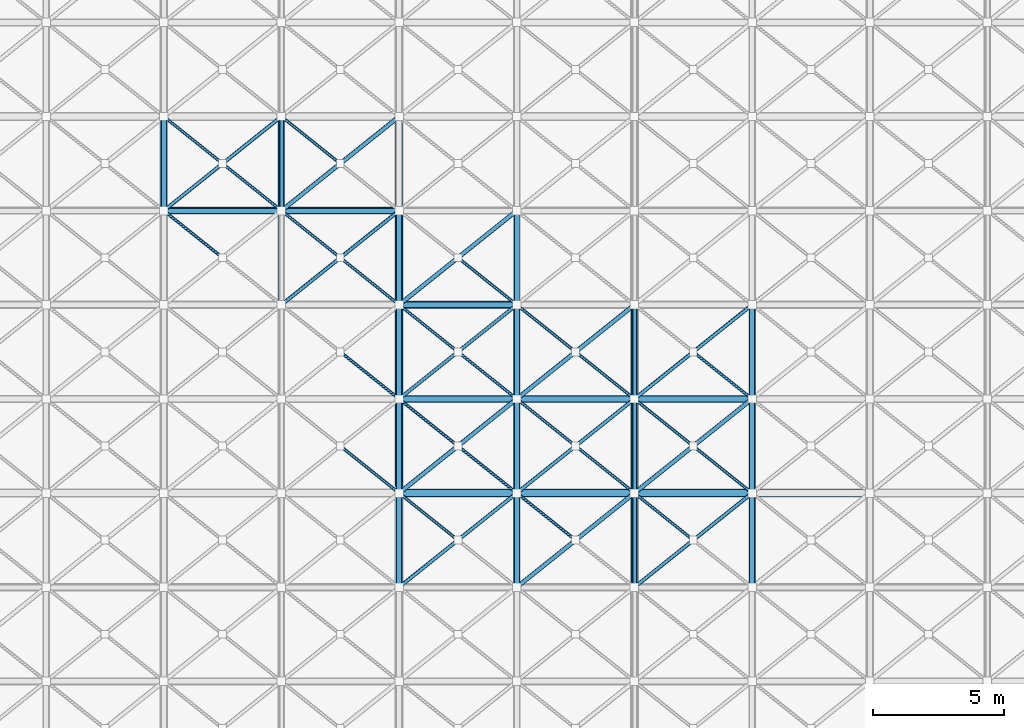
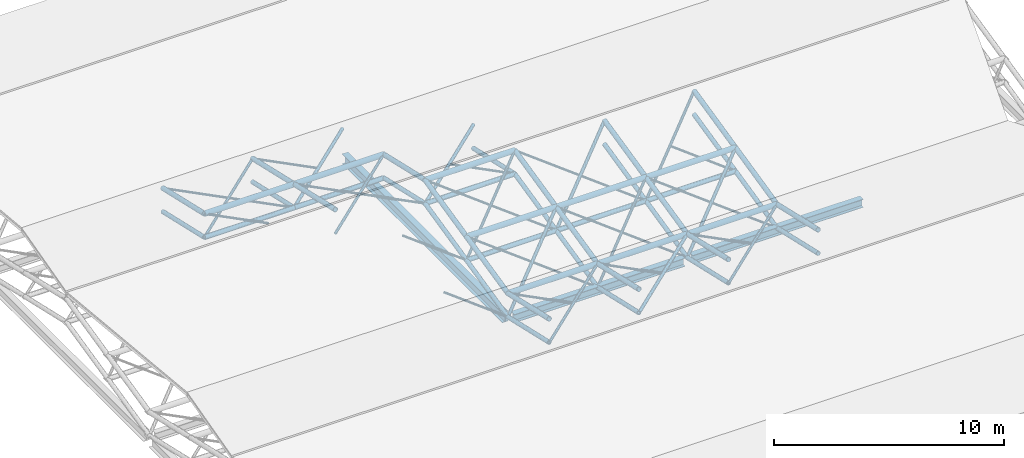
# One storey, part 17 of 110: 83 members, 3 beams.
"""IFC4 building model written with IfcOpenShell, lengths in metres."""

from ifc_helpers import new_model, si_unit, direction, frame, origin, origin_2d, place, context, subcontext, project, spatial, hollow_circle, i_section, extrude, material, material_profile, profile_set, type_object, element, save


model = new_model("IFC4")

# Units and contexts
model_context = context("Model", 3, precision=1e-05, world=origin(), true_north=direction((0.0, 1.0)))
body_context = subcontext(model_context, "Body", "Model", "MODEL_VIEW")
ifc_project = project(units=[si_unit("LENGTHUNIT", "METRE"), si_unit("AREAUNIT", "SQUARE_METRE"), si_unit("VOLUMEUNIT", "CUBIC_METRE"), si_unit("PLANEANGLEUNIT", "RADIAN"), si_unit("MASSUNIT", "GRAM", prefix="KILO")], contexts=[model_context])

# Site, building, storey
site_placement = place(None, origin())
site = spatial("IfcSite", under=ifc_project, at=site_placement, CompositionType="ELEMENT")
building_placement = place(site_placement, origin())
building = spatial("IfcBuilding", under=site, at=building_placement, Name="Tamarisk Ironworks Central Station", CompositionType="ELEMENT")
storey_placement = place(building_placement, frame((0.0, 0.0, 17.39990234375)))
storey = spatial("IfcBuildingStorey", under=building, at=storey_placement, Name="L03", CompositionType="ELEMENT", Elevation=17.39990234375)

# Beams
ifc_material_1 = material(Name="Structural steel S355J2", Category="steel")
ifc_material_profile_1 = material_profile(ifc_material_1, i_section(OverallWidth=0.300048828125, OverallDepth=0.5400390625, WebThickness=0.012451171875, FlangeThickness=0.02392578125, at=origin_2d()), Name="HEA 550")
ifc_profile_set_1 = profile_set([ifc_material_profile_1], Name="Structural steel S355J2")
beam_type_1 = type_object("IfcBeamType", Name="BM-G04", PredefinedType="BEAM", material=ifc_profile_set_1)
beam_placement = place(storey_placement, frame((18.0, 50.64208984375, -1.869873046875), z_axis=(0.0, 1.0, 0.0), x_axis=(-1.0, 0.0, 0.0)))
element("IfcBeam", 1, at=beam_placement, inside=storey, type_object=beam_type_1, Name="L03 primary girder Y-0592", PredefinedType="BEAM", context=body_context, shape_type="SweptSolid", body=[
    extrude(i_section(OverallWidth=0.300048828125, OverallDepth=0.5400390625, WebThickness=0.012451171875, FlangeThickness=0.02392578125, at=origin_2d()), origin(), (0.0, 0.0, 1.0), 13.916015625),
])
ifc_material_profile_2 = material_profile(ifc_material_1, i_section(OverallWidth=0.300048828125, OverallDepth=0.43994140625, WebThickness=0.011474609375, FlangeThickness=0.02099609375, at=origin_2d()), Name="HEA 450")
ifc_profile_set_2 = profile_set([ifc_material_profile_2], Name="Structural steel S355J2")
beam_type_2 = type_object("IfcBeamType", Name="BM-G06", PredefinedType="BEAM", material=ifc_profile_set_2)
for number, where, z_axis, x_axis, name in (
    (2, (18.241943359375, 50.39990234375, -1.81982421875), (1.0, 0.0, 0.0), (0.0, 1.0, 0.0), "L03 primary girder X-0559"),
    (3, (27.191162109375, 50.39990234375, -1.81982421875), (1.0, 0.0, 0.0), (0.0, 1.0, 0.0), "L03 primary girder X-0560"),
):
    element("IfcBeam", number, at=place(storey_placement, frame(where, z_axis=z_axis, x_axis=x_axis)), inside=storey, type_object=beam_type_2, Name=name, PredefinedType="BEAM", context=body_context, shape_type="SweptSolid", body=[
        extrude(i_section(OverallWidth=0.300048828125, OverallDepth=0.43994140625, WebThickness=0.011474609375, FlangeThickness=0.02099609375, at=origin_2d()), origin(), (0.0, 0.0, 1.0), 8.56689453125),
    ])

# Members
ifc_material_2 = material(Name="Structural steel S355J2H", Category="steel")
ifc_material_profile_3 = material_profile(ifc_material_2, hollow_circle(Radius=0.136474609375, WallThickness=0.012451171875, at=origin_2d()), Name="CHS 273x12.5")
ifc_profile_set_3 = profile_set([ifc_material_profile_3], Name="Structural steel S355J2H")
member_type_1 = type_object("IfcMemberType", Name="MB-SFC01", PredefinedType="CHORD", material=ifc_profile_set_3)
for number, where, z_axis, x_axis, name in (
    (4, (18.0, 50.39990234375, -0.469970703125), (1.0, 0.0, 0.0), (0.0, 1.0, 0.0), "Train shed space-frame top chord 0357"),
    (5, (22.5, 50.39990234375, -0.469970703125), (1.0, 0.0, 0.0), (0.0, 1.0, 0.0), "Train shed space-frame top chord 0358"),
    (6, (27.0, 50.39990234375, -0.469970703125), (1.0, 0.0, 0.0), (0.0, 1.0, 0.0), "Train shed space-frame top chord 0359"),
    (7, (18.0, 54.0, 0.35498046875), (1.0, 0.0, 0.0), (0.0, 1.0, 0.0), "Train shed space-frame top chord 0565"),
    (8, (22.5, 54.0, 0.35498046875), (1.0, 0.0, 0.0), (0.0, 1.0, 0.0), "Train shed space-frame top chord 0566"),
    (9, (27.0, 54.0, 0.35498046875), (1.0, 0.0, 0.0), (0.0, 1.0, 0.0), "Train shed space-frame top chord 0567"),
    (10, (18.0, 57.60009765625, 1.18017578125), (1.0, 0.0, 0.0), (0.0, 1.0, 0.0), "Train shed space-frame top chord 0575"),
    (11, (9.0, 61.199951171875, 0.35498046875), (1.0, 0.0, 0.0), (0.0, 1.0, 0.0), "Train shed space-frame top chord 0583"),
    (12, (13.5, 61.199951171875, 0.35498046875), (1.0, 0.0, 0.0), (0.0, 1.0, 0.0), "Train shed space-frame top chord 0584"),
):
    element("IfcMember", number, at=place(storey_placement, frame(where, z_axis=z_axis, x_axis=x_axis)), inside=storey, type_object=member_type_1, Name=name, PredefinedType="CHORD", context=body_context, shape_type="SweptSolid", body=[
        extrude(hollow_circle(Radius=0.136474609375, WallThickness=0.012451171875, at=origin_2d()), origin(), (0.0, 0.0, 1.0), 4.5),
    ])
ifc_material_profile_4 = material_profile(ifc_material_2, hollow_circle(Radius=0.122314453125, WallThickness=0.012451171875, at=origin_2d()), Name="CHS 244.5x12.5")
ifc_profile_set_4 = profile_set([ifc_material_profile_4], Name="Structural steel S355J2H")
member_type_2 = type_object("IfcMemberType", Name="MB-SFC02", PredefinedType="CHORD", material=ifc_profile_set_4)
for number, where, z_axis, x_axis, name in (
    (13, (18.0, 46.800048828125, 0.35498046875), (0.0, 0.974733218107, -0.223372230857), (-1.0, 0.0, 0.0), "Train shed space-frame top transverse chord 0382"),
    (14, (22.5, 46.800048828125, 0.35498046875), (0.0, 0.974733218107, -0.223372230857), (-1.0, 0.0, 0.0), "Train shed space-frame top transverse chord 0386"),
    (15, (27.0, 46.800048828125, 0.35498046875), (0.0, 0.974733218107, -0.223372230857), (-1.0, 0.0, 0.0), "Train shed space-frame top transverse chord 0390"),
    (16, (31.5, 46.800048828125, 0.35498046875), (0.0, 0.974733218107, -0.223372230857), (-1.0, 0.0, 0.0), "Train shed space-frame top transverse chord 0394"),
):
    element("IfcMember", number, at=place(storey_placement, frame(where, z_axis=z_axis, x_axis=x_axis)), inside=storey, type_object=member_type_2, Name=name, PredefinedType="CHORD", context=body_context, shape_type="SweptSolid", body=[
        extrude(hollow_circle(Radius=0.122314453125, WallThickness=0.012451171875, at=origin_2d()), origin(), (0.0, 0.0, 1.0), 3.693115234375),
    ])
for number, where, z_axis, x_axis, name in (
    (17, (18.0, 54.0, -0.89501953125), (1.0, 0.0, 0.0), (0.0, 1.0, 0.0), "Train shed space-frame bottom chord 0491"),
    (18, (22.5, 54.0, -0.89501953125), (1.0, 0.0, 0.0), (0.0, 1.0, 0.0), "Train shed space-frame bottom chord 0492"),
    (19, (27.0, 54.0, -0.89501953125), (1.0, 0.0, 0.0), (0.0, 1.0, 0.0), "Train shed space-frame bottom chord 0493"),
    (20, (18.0, 57.60009765625, -0.06982421875), (1.0, 0.0, 0.0), (0.0, 1.0, 0.0), "Train shed space-frame bottom chord 0501"),
    (21, (9.0, 61.199951171875, -0.89501953125), (1.0, 0.0, 0.0), (0.0, 1.0, 0.0), "Train shed space-frame bottom chord 0509"),
    (22, (13.5, 61.199951171875, -0.89501953125), (1.0, 0.0, 0.0), (0.0, 1.0, 0.0), "Train shed space-frame bottom chord 0510"),
):
    element("IfcMember", number, at=place(storey_placement, frame(where, z_axis=z_axis, x_axis=x_axis)), inside=storey, type_object=member_type_2, Name=name, PredefinedType="CHORD", context=body_context, shape_type="SweptSolid", body=[
        extrude(hollow_circle(Radius=0.122314453125, WallThickness=0.012451171875, at=origin_2d()), origin(), (0.0, 0.0, 1.0), 4.5),
    ])
member_1_placement = place(storey_placement, frame((9.0, 61.199951171875, 0.35498046875), z_axis=(0.0, 0.974736516158, -0.223357838607), x_axis=(-1.0, 0.0, 0.0)))
element("IfcMember", 23, at=member_1_placement, inside=storey, type_object=member_type_2, Name="Train shed space-frame top transverse chord 0612", PredefinedType="CHORD", context=body_context, shape_type="SweptSolid", body=[
    extrude(hollow_circle(Radius=0.122314453125, WallThickness=0.012451171875, at=origin_2d()), origin(), (0.0, 0.0, 1.0), 3.693359375),
])
member_2_placement = place(storey_placement, frame((13.5, 57.60009765625, 1.18017578125), z_axis=(0.0, 0.974718823144, -0.223435037113), x_axis=(-1.0, 0.0, 0.0)))
element("IfcMember", 24, at=member_2_placement, inside=storey, type_object=member_type_2, Name="Train shed space-frame top transverse chord 0615", PredefinedType="CHORD", context=body_context, shape_type="SweptSolid", body=[
    extrude(hollow_circle(Radius=0.122314453125, WallThickness=0.012451171875, at=origin_2d()), origin(), (0.0, 0.0, 1.0), 3.693115234375),
])
for number, where, z_axis, x_axis, name in (
    (25, (13.5, 61.199951171875, 0.35498046875), (0.0, 0.974736516158, -0.223357838607), (-1.0, 0.0, 0.0), "Train shed space-frame top transverse chord 0616"),
    (26, (18.0, 50.39990234375, -0.469970703125), (0.0, 0.974736516158, 0.223357838607), (-1.0, 0.0, 0.0), "Train shed space-frame top transverse chord 0617"),
    (27, (18.0, 54.0, 0.35498046875), (0.0, 0.974722123001, 0.223420641241), (-1.0, 0.0, 0.0), "Train shed space-frame top transverse chord 0618"),
):
    element("IfcMember", number, at=place(storey_placement, frame(where, z_axis=z_axis, x_axis=x_axis)), inside=storey, type_object=member_type_2, Name=name, PredefinedType="CHORD", context=body_context, shape_type="SweptSolid", body=[
        extrude(hollow_circle(Radius=0.122314453125, WallThickness=0.012451171875, at=origin_2d()), origin(), (0.0, 0.0, 1.0), 3.693359375),
    ])
member_3_placement = place(storey_placement, frame((18.0, 57.60009765625, 1.18017578125), z_axis=(0.0, 0.974718823144, -0.223435037113), x_axis=(-1.0, 0.0, 0.0)))
element("IfcMember", 28, at=member_3_placement, inside=storey, type_object=member_type_2, Name="Train shed space-frame top transverse chord 0619", PredefinedType="CHORD", context=body_context, shape_type="SweptSolid", body=[
    extrude(hollow_circle(Radius=0.122314453125, WallThickness=0.012451171875, at=origin_2d()), origin(), (0.0, 0.0, 1.0), 3.693115234375),
])
for number, where, z_axis, x_axis, name in (
    (29, (22.5, 50.39990234375, -0.469970703125), (0.0, 0.974736516158, 0.223357838607), (-1.0, 0.0, 0.0), "Train shed space-frame top transverse chord 0621"),
    (30, (22.5, 54.0, 0.35498046875), (0.0, 0.974722123001, 0.223420641241), (-1.0, 0.0, 0.0), "Train shed space-frame top transverse chord 0622"),
    (31, (27.0, 50.39990234375, -0.469970703125), (0.0, 0.974736516158, 0.223357838607), (-1.0, 0.0, 0.0), "Train shed space-frame top transverse chord 0625"),
    (32, (27.0, 54.0, 0.35498046875), (0.0, 0.974722123001, 0.223420641241), (-1.0, 0.0, 0.0), "Train shed space-frame top transverse chord 0626"),
    (33, (31.5, 50.39990234375, -0.469970703125), (0.0, 0.974736516158, 0.223357838607), (-1.0, 0.0, 0.0), "Train shed space-frame top transverse chord 0629"),
    (34, (31.5, 54.0, 0.35498046875), (0.0, 0.974722123001, 0.223420641241), (-1.0, 0.0, 0.0), "Train shed space-frame top transverse chord 0630"),
):
    element("IfcMember", number, at=place(storey_placement, frame(where, z_axis=z_axis, x_axis=x_axis)), inside=storey, type_object=member_type_2, Name=name, PredefinedType="CHORD", context=body_context, shape_type="SweptSolid", body=[
        extrude(hollow_circle(Radius=0.122314453125, WallThickness=0.012451171875, at=origin_2d()), origin(), (0.0, 0.0, 1.0), 3.693359375),
    ])
ifc_material_profile_5 = material_profile(ifc_material_2, hollow_circle(Radius=0.109619140625, WallThickness=0.010009765625, at=origin_2d()), Name="CHS 219.1x10")
ifc_profile_set_5 = profile_set([ifc_material_profile_5], Name="Structural steel S355J2H")
member_type_3 = type_object("IfcMemberType", Name="MB-SFC03", PredefinedType="CHORD", material=ifc_profile_set_5)
for number, where, z_axis, x_axis, name in (
    (35, (18.0, 46.800048828125, -0.89501953125), (0.0, 0.974733218107, -0.223372230857), (-1.0, 0.0, 0.0), "Train shed space-frame transverse chord 0298"),
    (36, (22.5, 46.800048828125, -0.89501953125), (0.0, 0.974733218107, -0.223372230857), (-1.0, 0.0, 0.0), "Train shed space-frame transverse chord 0302"),
    (37, (27.0, 46.800048828125, -0.89501953125), (0.0, 0.974733218107, -0.223372230857), (-1.0, 0.0, 0.0), "Train shed space-frame transverse chord 0306"),
    (38, (31.5, 46.800048828125, -0.89501953125), (0.0, 0.974733218107, -0.223372230857), (-1.0, 0.0, 0.0), "Train shed space-frame transverse chord 0310"),
):
    element("IfcMember", number, at=place(storey_placement, frame(where, z_axis=z_axis, x_axis=x_axis)), inside=storey, type_object=member_type_3, Name=name, PredefinedType="CHORD", context=body_context, shape_type="SweptSolid", body=[
        extrude(hollow_circle(Radius=0.109619140625, WallThickness=0.010009765625, at=origin_2d()), origin(), (0.0, 0.0, 1.0), 3.693115234375),
    ])
for number, where, z_axis, x_axis, name in (
    (39, (9.0, 61.199951171875, -0.89501953125), (0.0, 0.974736516158, -0.223357838607), (-1.0, 0.0, 0.0), "Train shed space-frame transverse chord 0528"),
    (40, (13.5, 61.199951171875, -0.89501953125), (0.0, 0.974736516158, -0.223357838607), (-1.0, 0.0, 0.0), "Train shed space-frame transverse chord 0532"),
    (41, (18.0, 50.39990234375, -1.719970703125), (0.0, 0.974736516158, 0.223357838607), (-1.0, 0.0, 0.0), "Train shed space-frame transverse chord 0533"),
    (42, (18.0, 54.0, -0.89501953125), (0.0, 0.974722123001, 0.223420641241), (-1.0, 0.0, 0.0), "Train shed space-frame transverse chord 0534"),
):
    element("IfcMember", number, at=place(storey_placement, frame(where, z_axis=z_axis, x_axis=x_axis)), inside=storey, type_object=member_type_3, Name=name, PredefinedType="CHORD", context=body_context, shape_type="SweptSolid", body=[
        extrude(hollow_circle(Radius=0.109619140625, WallThickness=0.010009765625, at=origin_2d()), origin(), (0.0, 0.0, 1.0), 3.693359375),
    ])
member_4_placement = place(storey_placement, frame((18.0, 57.60009765625, -0.06982421875), z_axis=(0.0, 0.974718823144, -0.223435037113), x_axis=(-1.0, 0.0, 0.0)))
element("IfcMember", 43, at=member_4_placement, inside=storey, type_object=member_type_3, Name="Train shed space-frame transverse chord 0535", PredefinedType="CHORD", context=body_context, shape_type="SweptSolid", body=[
    extrude(hollow_circle(Radius=0.109619140625, WallThickness=0.010009765625, at=origin_2d()), origin(), (0.0, 0.0, 1.0), 3.693115234375),
])
for number, where, z_axis, x_axis, name in (
    (44, (22.5, 50.39990234375, -1.719970703125), (0.0, 0.974736516158, 0.223357838607), (-1.0, 0.0, 0.0), "Train shed space-frame transverse chord 0537"),
    (45, (22.5, 54.0, -0.89501953125), (0.0, 0.974722123001, 0.223420641241), (-1.0, 0.0, 0.0), "Train shed space-frame transverse chord 0538"),
):
    element("IfcMember", number, at=place(storey_placement, frame(where, z_axis=z_axis, x_axis=x_axis)), inside=storey, type_object=member_type_3, Name=name, PredefinedType="CHORD", context=body_context, shape_type="SweptSolid", body=[
        extrude(hollow_circle(Radius=0.109619140625, WallThickness=0.010009765625, at=origin_2d()), origin(), (0.0, 0.0, 1.0), 3.693359375),
    ])
member_5_placement = place(storey_placement, frame((22.5, 57.60009765625, -0.06982421875), z_axis=(0.0, 0.974718823144, -0.223435037113), x_axis=(-1.0, 0.0, 0.0)))
element("IfcMember", 46, at=member_5_placement, inside=storey, type_object=member_type_3, Name="Train shed space-frame transverse chord 0539", PredefinedType="CHORD", context=body_context, shape_type="SweptSolid", body=[
    extrude(hollow_circle(Radius=0.109619140625, WallThickness=0.010009765625, at=origin_2d()), origin(), (0.0, 0.0, 1.0), 3.693115234375),
])
for number, where, z_axis, x_axis, name in (
    (47, (27.0, 50.39990234375, -1.719970703125), (0.0, 0.974736516158, 0.223357838607), (-1.0, 0.0, 0.0), "Train shed space-frame transverse chord 0541"),
    (48, (27.0, 54.0, -0.89501953125), (0.0, 0.974722123001, 0.223420641241), (-1.0, 0.0, 0.0), "Train shed space-frame transverse chord 0542"),
    (49, (31.5, 50.39990234375, -1.719970703125), (0.0, 0.974736516158, 0.223357838607), (-1.0, 0.0, 0.0), "Train shed space-frame transverse chord 0545"),
    (50, (31.5, 54.0, -0.89501953125), (0.0, 0.974722123001, 0.223420641241), (-1.0, 0.0, 0.0), "Train shed space-frame transverse chord 0546"),
):
    element("IfcMember", number, at=place(storey_placement, frame(where, z_axis=z_axis, x_axis=x_axis)), inside=storey, type_object=member_type_3, Name=name, PredefinedType="CHORD", context=body_context, shape_type="SweptSolid", body=[
        extrude(hollow_circle(Radius=0.109619140625, WallThickness=0.010009765625, at=origin_2d()), origin(), (0.0, 0.0, 1.0), 3.693359375),
    ])
ifc_material_profile_6 = material_profile(ifc_material_2, hollow_circle(Radius=0.084228515625, WallThickness=0.010009765625, at=origin_2d()), Name="CHS 168.3x10")
ifc_profile_set_6 = profile_set([ifc_material_profile_6], Name="Structural steel S355J2H")
member_type_4 = type_object("IfcMemberType", Name="MB-SFD01", PredefinedType="BRACE", material=ifc_profile_set_6)
member_6_placement = place(storey_placement, frame((22.5, 46.800048828125, -0.89501953125), z_axis=(0.778765724077, 0.622987228815, 0.073558546312), x_axis=(-0.624679547852, 0.780881208953, 0.0)))
element("IfcMember", 51, at=member_6_placement, inside=storey, type_object=member_type_4, Name="Train shed space-frame diagonal 0453", PredefinedType="BRACE", context=body_context, shape_type="SweptSolid", body=[
    extrude(hollow_circle(Radius=0.084228515625, WallThickness=0.010009765625, at=origin_2d()), origin(), (0.0, 0.0, 1.0), 5.7783203125),
])
member_7_placement = place(storey_placement, frame((13.5, 61.199951171875, -0.89501953125), z_axis=(0.778745225774, 0.623013080472, 0.073556610138), x_axis=(-0.624705380279, 0.780860543151, 0.0)))
element("IfcMember", 52, at=member_7_placement, inside=storey, type_object=member_type_4, Name="Train shed space-frame diagonal 0675", PredefinedType="BRACE", context=body_context, shape_type="SweptSolid", body=[
    extrude(hollow_circle(Radius=0.084228515625, WallThickness=0.010009765625, at=origin_2d()), origin(), (0.0, 0.0, 1.0), 5.778564453125),
])
member_8_placement = place(storey_placement, frame((18.0, 50.39990234375, -1.719970703125), z_axis=(0.734688976783, 0.587767125198, 0.33876527852), x_axis=(-0.624705380279, 0.780860543151, 0.0)))
element("IfcMember", 53, at=member_8_placement, inside=storey, type_object=member_type_4, Name="Train shed space-frame diagonal 0677", PredefinedType="BRACE", context=body_context, shape_type="SweptSolid", body=[
    extrude(hollow_circle(Radius=0.084228515625, WallThickness=0.010009765625, at=origin_2d()), origin(), (0.0, 0.0, 1.0), 6.125),
])
member_9_placement = place(storey_placement, frame((18.0, 57.60009765625, -0.06982421875), z_axis=(0.778768143722, 0.622989164452, 0.073516523984), x_axis=(-0.624679547852, 0.780881208953, 0.0)))
element("IfcMember", 54, at=member_9_placement, inside=storey, type_object=member_type_4, Name="Train shed space-frame diagonal 0681", PredefinedType="BRACE", context=body_context, shape_type="SweptSolid", body=[
    extrude(hollow_circle(Radius=0.084228515625, WallThickness=0.010009765625, at=origin_2d()), origin(), (0.0, 0.0, 1.0), 5.7783203125),
])
member_10_placement = place(storey_placement, frame((22.5, 54.0, -0.89501953125), z_axis=(0.734679055902, 0.587759188278, 0.338800562889), x_axis=(-0.624705380279, 0.780860543151, 0.0)))
element("IfcMember", 55, at=member_10_placement, inside=storey, type_object=member_type_4, Name="Train shed space-frame diagonal 0687", PredefinedType="BRACE", context=body_context, shape_type="SweptSolid", body=[
    extrude(hollow_circle(Radius=0.084228515625, WallThickness=0.010009765625, at=origin_2d()), origin(), (0.0, 0.0, 1.0), 6.125244140625),
])
member_11_placement = place(storey_placement, frame((27.0, 50.39990234375, -1.719970703125), z_axis=(0.734688976783, 0.587767125198, 0.33876527852), x_axis=(-0.624705380279, 0.780860543151, 0.0)))
element("IfcMember", 56, at=member_11_placement, inside=storey, type_object=member_type_4, Name="Train shed space-frame diagonal 0693", PredefinedType="BRACE", context=body_context, shape_type="SweptSolid", body=[
    extrude(hollow_circle(Radius=0.084228515625, WallThickness=0.010009765625, at=origin_2d()), origin(), (0.0, 0.0, 1.0), 6.125),
])
ifc_material_profile_7 = material_profile(ifc_material_2, hollow_circle(Radius=0.06982421875, WallThickness=0.008056640625, at=origin_2d()), Name="CHS 139.7x8")
ifc_profile_set_7 = profile_set([ifc_material_profile_7], Name="Structural steel S355J2H")
member_type_5 = type_object("IfcMemberType", Name="MB-SFD02", PredefinedType="BRACE", material=ifc_profile_set_7)
for number, where, z_axis, x_axis, name in (
    (57, (18.0, 46.800048828125, -0.89501953125), (0.778765724077, 0.622987228815, 0.073558546312), (-0.624679547852, 0.780881208953, 0.0), "Train shed space-frame diagonal 0445"),
    (58, (27.0, 46.800048828125, -0.89501953125), (0.778765724077, 0.622987228815, 0.073558546312), (-0.624679547852, 0.780881208953, 0.0), "Train shed space-frame diagonal 0461"),
):
    element("IfcMember", number, at=place(storey_placement, frame(where, z_axis=z_axis, x_axis=x_axis)), inside=storey, type_object=member_type_5, Name=name, PredefinedType="BRACE", context=body_context, shape_type="SweptSolid", body=[
        extrude(hollow_circle(Radius=0.06982421875, WallThickness=0.008056640625, at=origin_2d()), origin(), (0.0, 0.0, 1.0), 5.7783203125),
    ])
member_12_placement = place(storey_placement, frame((9.0, 61.199951171875, -0.89501953125), z_axis=(0.778745225774, 0.623013080472, 0.073556610138), x_axis=(-0.624705380279, 0.780860543151, 0.0)))
element("IfcMember", 59, at=member_12_placement, inside=storey, type_object=member_type_5, Name="Train shed space-frame diagonal 0667", PredefinedType="BRACE", context=body_context, shape_type="SweptSolid", body=[
    extrude(hollow_circle(Radius=0.06982421875, WallThickness=0.008056640625, at=origin_2d()), origin(), (0.0, 0.0, 1.0), 5.778564453125),
])
member_13_placement = place(storey_placement, frame((13.5, 57.60009765625, -0.06982421875), z_axis=(0.778768143722, 0.622989164452, 0.073516523984), x_axis=(-0.624679547852, 0.780881208953, 0.0)))
element("IfcMember", 60, at=member_13_placement, inside=storey, type_object=member_type_5, Name="Train shed space-frame diagonal 0673", PredefinedType="BRACE", context=body_context, shape_type="SweptSolid", body=[
    extrude(hollow_circle(Radius=0.06982421875, WallThickness=0.008056640625, at=origin_2d()), origin(), (0.0, 0.0, 1.0), 5.7783203125),
])
member_14_placement = place(storey_placement, frame((18.0, 54.0, -0.89501953125), z_axis=(0.734679055902, 0.587759188278, 0.338800562889), x_axis=(-0.624705380279, 0.780860543151, 0.0)))
element("IfcMember", 61, at=member_14_placement, inside=storey, type_object=member_type_5, Name="Train shed space-frame diagonal 0679", PredefinedType="BRACE", context=body_context, shape_type="SweptSolid", body=[
    extrude(hollow_circle(Radius=0.06982421875, WallThickness=0.008056640625, at=origin_2d()), origin(), (0.0, 0.0, 1.0), 6.125244140625),
])
member_15_placement = place(storey_placement, frame((22.5, 50.39990234375, -1.719970703125), z_axis=(0.734688976783, 0.587767125198, 0.33876527852), x_axis=(-0.624705380279, 0.780860543151, 0.0)))
element("IfcMember", 62, at=member_15_placement, inside=storey, type_object=member_type_5, Name="Train shed space-frame diagonal 0685", PredefinedType="BRACE", context=body_context, shape_type="SweptSolid", body=[
    extrude(hollow_circle(Radius=0.06982421875, WallThickness=0.008056640625, at=origin_2d()), origin(), (0.0, 0.0, 1.0), 6.125),
])
member_16_placement = place(storey_placement, frame((27.0, 54.0, -0.89501953125), z_axis=(0.734679055902, 0.587759188278, 0.338800562889), x_axis=(-0.624705380279, 0.780860543151, 0.0)))
element("IfcMember", 63, at=member_16_placement, inside=storey, type_object=member_type_5, Name="Train shed space-frame diagonal 0695", PredefinedType="BRACE", context=body_context, shape_type="SweptSolid", body=[
    extrude(hollow_circle(Radius=0.06982421875, WallThickness=0.008056640625, at=origin_2d()), origin(), (0.0, 0.0, 1.0), 6.125244140625),
])
ifc_material_profile_8 = material_profile(ifc_material_2, hollow_circle(Radius=0.05712890625, WallThickness=0.00634765625, at=origin_2d()), Name="CHS 114.3x6.3")
ifc_profile_set_8 = profile_set([ifc_material_profile_8], Name="Structural steel S355J2H")
member_type_6 = type_object("IfcMemberType", Name="MB-SFD03", PredefinedType="BRACE", material=ifc_profile_set_8)
for number, where, z_axis, x_axis, name in (
    (64, (20.207275390625, 48.63427734375, -0.678466796875), (-0.778786711003, 0.622960457248, 0.073563084968), (-0.624652913247, -0.780902515025, 0.0), "Train shed space-frame split counter-diagonal upper 0446"),
    (65, (24.707275390625, 48.63427734375, -0.678466796875), (-0.778786711003, 0.622960457248, 0.073563084968), (-0.624652913247, -0.780902515025, 0.0), "Train shed space-frame split counter-diagonal upper 0454"),
    (66, (29.207275390625, 48.63427734375, -0.678466796875), (-0.778786711003, 0.622960457248, 0.073563084968), (-0.624652913247, -0.780902515025, 0.0), "Train shed space-frame split counter-diagonal upper 0462"),
    (67, (11.207275390625, 59.434326171875, 0.146484375), (-0.778786711003, 0.622960457248, 0.073563084968), (-0.624652913247, -0.780902515025, 0.0), "Train shed space-frame split counter-diagonal upper 0666"),
):
    element("IfcMember", number, at=place(storey_placement, frame(where, z_axis=z_axis, x_axis=x_axis)), inside=storey, type_object=member_type_6, Name=name, PredefinedType="BRACE", context=body_context, shape_type="SweptSolid", body=[
        extrude(hollow_circle(Radius=0.05712890625, WallThickness=0.00634765625, at=origin_2d()), origin(), (0.0, 0.0, 1.0), 2.834228515625),
    ])
for number, where, z_axis, x_axis, name in (
    (68, (13.5, 61.199951171875, -0.89501953125), (-0.778744920641, 0.623013163477, 0.07355913751), (-0.624705580279, -0.780860383147, 0.0), "Train shed space-frame split counter-diagonal lower 0668"),
    (69, (11.207275390625, 63.0341796875, -0.678466796875), (-0.778744920641, 0.623013163477, 0.07355913751), (-0.624705580279, -0.780860383147, 0.0), "Train shed space-frame split counter-diagonal upper 0668"),
):
    element("IfcMember", number, at=place(storey_placement, frame(where, z_axis=z_axis, x_axis=x_axis)), inside=storey, type_object=member_type_6, Name=name, PredefinedType="BRACE", context=body_context, shape_type="SweptSolid", body=[
        extrude(hollow_circle(Radius=0.05712890625, WallThickness=0.00634765625, at=origin_2d()), origin(), (0.0, 0.0, 1.0), 2.83447265625),
    ])
member_17_placement = place(storey_placement, frame((18.0, 50.39990234375, -1.719970703125), z_axis=(-0.734677102003, 0.587757915766, 0.338807007376), x_axis=(-0.624705568642, -0.780860392457, 0.0)))
element("IfcMember", 70, at=member_17_placement, inside=storey, type_object=member_type_6, Name="Train shed space-frame split counter-diagonal lower 0670", PredefinedType="BRACE", context=body_context, shape_type="SweptSolid", body=[
    extrude(hollow_circle(Radius=0.05712890625, WallThickness=0.00634765625, at=origin_2d()), origin(), (0.0, 0.0, 1.0), 3.0078125),
])
member_18_placement = place(storey_placement, frame((18.0, 54.0, -0.89501953125), z_axis=(-0.734712152648, 0.587704782363, 0.33882317149), x_axis=(-0.624652959802, -0.780902477785, 0.0)))
element("IfcMember", 71, at=member_18_placement, inside=storey, type_object=member_type_6, Name="Train shed space-frame split counter-diagonal lower 0672", PredefinedType="BRACE", context=body_context, shape_type="SweptSolid", body=[
    extrude(hollow_circle(Radius=0.05712890625, WallThickness=0.00634765625, at=origin_2d()), origin(), (0.0, 0.0, 1.0), 3.007568359375),
])
for number, where, z_axis, x_axis, name in (
    (72, (18.0, 57.60009765625, -0.06982421875), (-0.778786711003, 0.622960457248, 0.073563084968), (-0.624652913247, -0.780902515025, 0.0), "Train shed space-frame split counter-diagonal lower 0674"),
    (73, (15.707275390625, 59.434326171875, 0.146484375), (-0.778786711003, 0.622960457248, 0.073563084968), (-0.624652913247, -0.780902515025, 0.0), "Train shed space-frame split counter-diagonal upper 0674"),
):
    element("IfcMember", number, at=place(storey_placement, frame(where, z_axis=z_axis, x_axis=x_axis)), inside=storey, type_object=member_type_6, Name=name, PredefinedType="BRACE", context=body_context, shape_type="SweptSolid", body=[
        extrude(hollow_circle(Radius=0.05712890625, WallThickness=0.00634765625, at=origin_2d()), origin(), (0.0, 0.0, 1.0), 2.834228515625),
    ])
member_19_placement = place(storey_placement, frame((15.707275390625, 63.0341796875, -0.678466796875), z_axis=(-0.778744920641, 0.623013163477, 0.07355913751), x_axis=(-0.624705580279, -0.780860383147, 0.0)))
element("IfcMember", 74, at=member_19_placement, inside=storey, type_object=member_type_6, Name="Train shed space-frame split counter-diagonal upper 0676", PredefinedType="BRACE", context=body_context, shape_type="SweptSolid", body=[
    extrude(hollow_circle(Radius=0.05712890625, WallThickness=0.00634765625, at=origin_2d()), origin(), (0.0, 0.0, 1.0), 2.83447265625),
])
member_20_placement = place(storey_placement, frame((22.5, 50.39990234375, -1.719970703125), z_axis=(-0.734677102003, 0.587757915766, 0.338807007376), x_axis=(-0.624705568642, -0.780860392457, 0.0)))
element("IfcMember", 75, at=member_20_placement, inside=storey, type_object=member_type_6, Name="Train shed space-frame split counter-diagonal lower 0678", PredefinedType="BRACE", context=body_context, shape_type="SweptSolid", body=[
    extrude(hollow_circle(Radius=0.05712890625, WallThickness=0.00634765625, at=origin_2d()), origin(), (0.0, 0.0, 1.0), 3.0078125),
])
for number, where, z_axis, x_axis, name in (
    (76, (20.209716796875, 52.232421875, -0.663818359375), (-0.734732358486, 0.587720945248, 0.338751312779), (-0.624652959802, -0.780902477785, 0.0), "Train shed space-frame split counter-diagonal upper 0678"),
    (77, (22.5, 54.0, -0.89501953125), (-0.734712152648, 0.587704782363, 0.33882317149), (-0.624652959802, -0.780902477785, 0.0), "Train shed space-frame split counter-diagonal lower 0680"),
):
    element("IfcMember", number, at=place(storey_placement, frame(where, z_axis=z_axis, x_axis=x_axis)), inside=storey, type_object=member_type_6, Name=name, PredefinedType="BRACE", context=body_context, shape_type="SweptSolid", body=[
        extrude(hollow_circle(Radius=0.05712890625, WallThickness=0.00634765625, at=origin_2d()), origin(), (0.0, 0.0, 1.0), 3.007568359375),
    ])
member_21_placement = place(storey_placement, frame((20.209716796875, 55.832275390625, 0.1611328125), z_axis=(-0.734677102003, 0.587757915766, 0.338807007376), x_axis=(-0.624705568642, -0.780860392457, 0.0)))
element("IfcMember", 78, at=member_21_placement, inside=storey, type_object=member_type_6, Name="Train shed space-frame split counter-diagonal upper 0680", PredefinedType="BRACE", context=body_context, shape_type="SweptSolid", body=[
    extrude(hollow_circle(Radius=0.05712890625, WallThickness=0.00634765625, at=origin_2d()), origin(), (0.0, 0.0, 1.0), 3.0078125),
])
member_22_placement = place(storey_placement, frame((22.5, 57.60009765625, -0.06982421875), z_axis=(-0.778786711003, 0.622960457248, 0.073563084968), x_axis=(-0.624652913247, -0.780902515025, 0.0)))
element("IfcMember", 79, at=member_22_placement, inside=storey, type_object=member_type_6, Name="Train shed space-frame split counter-diagonal lower 0682", PredefinedType="BRACE", context=body_context, shape_type="SweptSolid", body=[
    extrude(hollow_circle(Radius=0.05712890625, WallThickness=0.00634765625, at=origin_2d()), origin(), (0.0, 0.0, 1.0), 2.834228515625),
])
member_23_placement = place(storey_placement, frame((27.0, 50.39990234375, -1.719970703125), z_axis=(-0.734677102003, 0.587757915766, 0.338807007376), x_axis=(-0.624705568642, -0.780860392457, 0.0)))
element("IfcMember", 80, at=member_23_placement, inside=storey, type_object=member_type_6, Name="Train shed space-frame split counter-diagonal lower 0686", PredefinedType="BRACE", context=body_context, shape_type="SweptSolid", body=[
    extrude(hollow_circle(Radius=0.05712890625, WallThickness=0.00634765625, at=origin_2d()), origin(), (0.0, 0.0, 1.0), 3.0078125),
])
for number, where, z_axis, x_axis, name in (
    (81, (24.709716796875, 52.232421875, -0.663818359375), (-0.734732358486, 0.587720945248, 0.338751312779), (-0.624652959802, -0.780902477785, 0.0), "Train shed space-frame split counter-diagonal upper 0686"),
    (82, (27.0, 54.0, -0.89501953125), (-0.734712152648, 0.587704782363, 0.33882317149), (-0.624652959802, -0.780902477785, 0.0), "Train shed space-frame split counter-diagonal lower 0688"),
):
    element("IfcMember", number, at=place(storey_placement, frame(where, z_axis=z_axis, x_axis=x_axis)), inside=storey, type_object=member_type_6, Name=name, PredefinedType="BRACE", context=body_context, shape_type="SweptSolid", body=[
        extrude(hollow_circle(Radius=0.05712890625, WallThickness=0.00634765625, at=origin_2d()), origin(), (0.0, 0.0, 1.0), 3.007568359375),
    ])
for number, where, z_axis, x_axis, name in (
    (83, (24.709716796875, 55.832275390625, 0.1611328125), (-0.734677102003, 0.587757915766, 0.338807007376), (-0.624705568642, -0.780860392457, 0.0), "Train shed space-frame split counter-diagonal upper 0688"),
    (84, (31.5, 50.39990234375, -1.719970703125), (-0.734677102003, 0.587757915766, 0.338807007376), (-0.624705568642, -0.780860392457, 0.0), "Train shed space-frame split counter-diagonal lower 0694"),
):
    element("IfcMember", number, at=place(storey_placement, frame(where, z_axis=z_axis, x_axis=x_axis)), inside=storey, type_object=member_type_6, Name=name, PredefinedType="BRACE", context=body_context, shape_type="SweptSolid", body=[
        extrude(hollow_circle(Radius=0.05712890625, WallThickness=0.00634765625, at=origin_2d()), origin(), (0.0, 0.0, 1.0), 3.0078125),
    ])
for number, where, z_axis, x_axis, name in (
    (85, (29.209716796875, 52.232421875, -0.663818359375), (-0.734732358486, 0.587720945248, 0.338751312779), (-0.624652959802, -0.780902477785, 0.0), "Train shed space-frame split counter-diagonal upper 0694"),
    (86, (31.5, 54.0, -0.89501953125), (-0.734712152648, 0.587704782363, 0.33882317149), (-0.624652959802, -0.780902477785, 0.0), "Train shed space-frame split counter-diagonal lower 0696"),
):
    element("IfcMember", number, at=place(storey_placement, frame(where, z_axis=z_axis, x_axis=x_axis)), inside=storey, type_object=member_type_6, Name=name, PredefinedType="BRACE", context=body_context, shape_type="SweptSolid", body=[
        extrude(hollow_circle(Radius=0.05712890625, WallThickness=0.00634765625, at=origin_2d()), origin(), (0.0, 0.0, 1.0), 3.007568359375),
    ])

save(model, "model.ifc")
